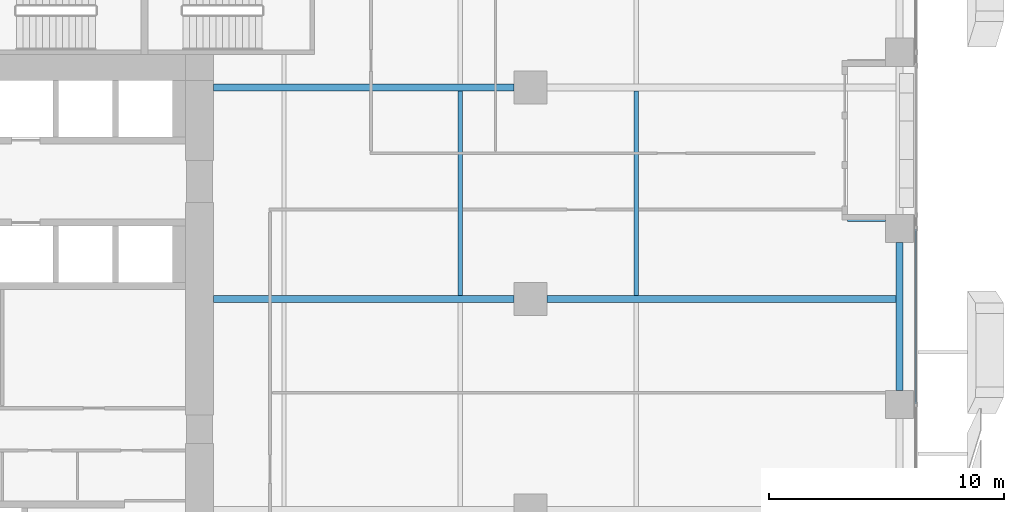
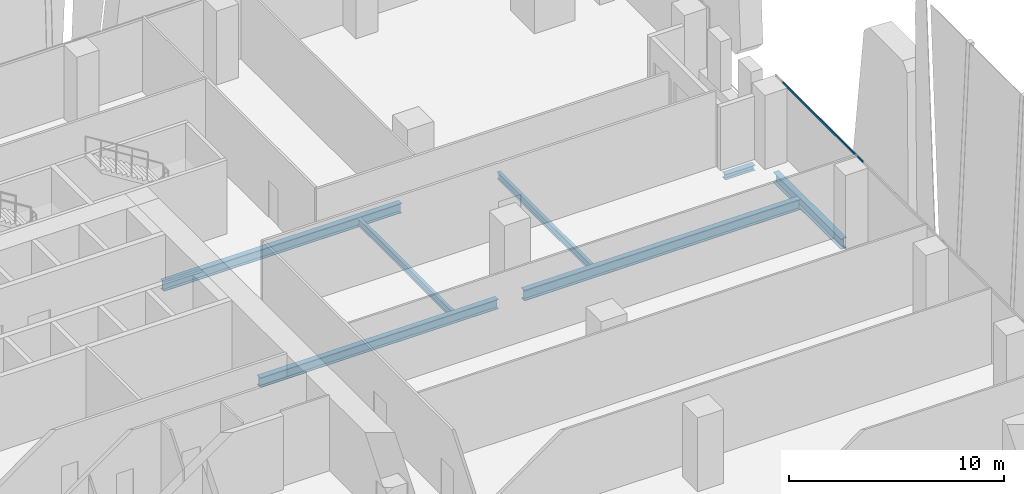
# One storey, part 18 of 37: 7 beams, 1 member, 1 element without a shape of its own.
"""IFC4 building model written with IfcOpenShell, lengths in metres."""

from ifc_helpers import new_model, si_unit, direction, frame, origin, origin_2d, place, context, subcontext, project, spatial, hollow_rectangle, i_section, extrude, source, transform, mapped, material, material_profile, profile_set, type_object, element, aggregate, save


model = new_model("IFC4")

# Units and contexts
model_context = context("Model", 3, precision=1e-05, world=origin(), true_north=direction((0.0, 1.0)))
body_context = subcontext(model_context, "Body", "Model", "MODEL_VIEW")
ifc_project = project(units=[si_unit("LENGTHUNIT", "METRE"), si_unit("AREAUNIT", "SQUARE_METRE"), si_unit("VOLUMEUNIT", "CUBIC_METRE"), si_unit("PLANEANGLEUNIT", "RADIAN"), si_unit("MASSUNIT", "GRAM", prefix="KILO")], contexts=[model_context])

# Site, building, storey
site_placement = place(None, origin())
site = spatial("IfcSite", under=ifc_project, at=site_placement, CompositionType="ELEMENT")
building_placement = place(site_placement, origin())
building = spatial("IfcBuilding", under=site, at=building_placement, Name="Khomas Fold Tower", CompositionType="ELEMENT")
storey_placement = place(building_placement, frame((0.0, 0.0, 60.0)))
storey = spatial("IfcBuildingStorey", under=building, at=storey_placement, Name="L12", CompositionType="ELEMENT", Elevation=60.0)

# Beams
ifc_material_1 = material(Name="Steel S355", Category="steel")
ifc_material_profile_1 = material_profile(ifc_material_1, i_section(OverallWidth=0.300048828125, OverallDepth=0.550048828125, WebThickness=0.014892578125, FlangeThickness=0.029052734375, at=origin_2d()), Name="HE 550 B")
ifc_profile_set_1 = profile_set([ifc_material_profile_1], Name="Steel S355")
beam_type_1 = type_object("IfcBeamType", Name="HE 550 B beam GB4", PredefinedType="BEAM", material=ifc_profile_set_1)
shared_shape_1 = source(origin(), body_context, "Body", "SweptSolid", [
    extrude(i_section(OverallWidth=0.300048828125, OverallDepth=0.550048828125, WebThickness=0.014892578125, FlangeThickness=0.029052734375, at=origin_2d()), origin(), (0.0, 0.0, 1.0), 12.800048828125),
])
for number, where, z_axis, x_axis, name in (
    (1, (24.0, 31.5, -0.574951171875), (1.0, 0.0, 0.0), (0.0, 1.0, 0.0), "GB4"),
    (2, (24.0, 40.5, -0.574951171875), (1.0, 0.0, 0.0), (0.0, 1.0, 0.0), "GB4"),
):
    element("IfcBeam", number, at=place(storey_placement, frame(where, z_axis=z_axis, x_axis=x_axis)), inside=storey, type_object=beam_type_1, Name=name, PredefinedType="BEAM", context=body_context, shape_type="MappedRepresentation", body=[
        mapped(shared_shape_1, transform((0.0, 0.0, 0.0))),
    ])
ifc_material_2 = material(Name="Steel S355", Category="steel")
ifc_material_profile_2 = material_profile(ifc_material_2, i_section(OverallWidth=0.179931640625, OverallDepth=0.39990234375, WebThickness=0.008544921875, FlangeThickness=0.013427734375, at=origin_2d()), Name="IPE 400")
ifc_profile_set_2 = profile_set([ifc_material_profile_2], Name="Steel S355")
beam_type_2 = type_object("IfcBeamType", Name="IPE 400 beam JB3", PredefinedType="BEAM", material=ifc_profile_set_2)
shared_shape_2 = source(origin(), body_context, "Body", "SweptSolid", [
    extrude(i_section(OverallWidth=0.179931640625, OverallDepth=0.39990234375, WebThickness=0.008544921875, FlangeThickness=0.013427734375, at=origin_2d()), origin(), (0.0, 0.0, 1.0), 8.7001953125),
])
for number, where, z_axis, x_axis, name in (
    (3, (34.5, 31.64990234375, -0.5), (0.0, 1.0, 0.0), (-1.0, 0.0, 0.0), "JB3"),
    (4, (42.0, 31.64990234375, -0.5), (0.0, 1.0, 0.0), (-1.0, 0.0, 0.0), "JB3"),
):
    element("IfcBeam", number, at=place(storey_placement, frame(where, z_axis=z_axis, x_axis=x_axis)), inside=storey, type_object=beam_type_2, Name=name, PredefinedType="BEAM", context=body_context, shape_type="MappedRepresentation", body=[
        mapped(shared_shape_2, transform((0.0, 0.0, 0.0))),
    ])
ifc_material_3 = material(Name="Steel S355", Category="steel")
ifc_material_profile_3 = material_profile(ifc_material_3, i_section(OverallWidth=0.300048828125, OverallDepth=0.60009765625, WebThickness=0.015380859375, FlangeThickness=0.030029296875, at=origin_2d()), Name="HE 600 B")
ifc_profile_set_3 = profile_set([ifc_material_profile_3], Name="Steel S355")
beam_type_3 = type_object("IfcBeamType", Name="HE 600 B spandrel SB1", PredefinedType="SPANDREL", material=ifc_profile_set_3)
shared_shape_3 = source(origin(), body_context, "Body", "SweptSolid", [
    extrude(i_section(OverallWidth=0.300048828125, OverallDepth=0.60009765625, WebThickness=0.015380859375, FlangeThickness=0.030029296875, at=origin_2d()), origin(), (0.0, 0.0, 1.0), 6.2998046875),
])
beam_1_placement = place(storey_placement, frame((53.199951171875, 27.60009765625, -0.60009765625), z_axis=(0.0, 1.0, 0.0), x_axis=(-1.0, 0.0, 0.0)))
element("IfcBeam", 5, at=beam_1_placement, inside=storey, type_object=beam_type_3, Name="SB1", PredefinedType="SPANDREL", context=body_context, shape_type="MappedRepresentation", body=[
    mapped(shared_shape_3, transform((0.0, 0.0, 0.0))),
])
ifc_material_4 = material(Name="Steel S355", Category="steel")
ifc_material_profile_4 = material_profile(ifc_material_4, i_section(OverallWidth=0.300048828125, OverallDepth=0.60009765625, WebThickness=0.015380859375, FlangeThickness=0.030029296875, at=origin_2d()), Name="HE 600 B")
ifc_profile_set_4 = profile_set([ifc_material_profile_4], Name="Steel S355")
beam_type_4 = type_object("IfcBeamType", Name="HE 600 B beam GB5", PredefinedType="BEAM", material=ifc_profile_set_4)
shared_shape_4 = source(origin(), body_context, "Body", "SweptSolid", [
    extrude(i_section(OverallWidth=0.300048828125, OverallDepth=0.60009765625, WebThickness=0.015380859375, FlangeThickness=0.030029296875, at=origin_2d()), origin(), (0.0, 0.0, 1.0), 14.85009765625),
])
beam_2_placement = place(storey_placement, frame((38.199951171875, 31.5, -0.60009765625), z_axis=(1.0, 0.0, 0.0), x_axis=(0.0, 1.0, 0.0)))
element("IfcBeam", 6, at=beam_2_placement, inside=storey, type_object=beam_type_4, Name="GB5", PredefinedType="BEAM", context=body_context, shape_type="MappedRepresentation", body=[
    mapped(shared_shape_4, transform((0.0, 0.0, 0.0))),
])
ifc_material_5 = material(Name="Steel S355", Category="steel")
ifc_material_profile_5 = material_profile(ifc_material_5, i_section(OverallWidth=0.300048828125, OverallDepth=0.300048828125, WebThickness=0.010986328125, FlangeThickness=0.01904296875, at=origin_2d()), Name="HE 300 B")
ifc_profile_set_5 = profile_set([ifc_material_profile_5], Name="Steel S355")
beam_type_5 = type_object("IfcBeamType", Name="HE 300 B beam BB1", PredefinedType="BEAM", material=ifc_profile_set_5)
shared_shape_5 = source(origin(), body_context, "Body", "SweptSolid", [
    extrude(i_section(OverallWidth=0.300048828125, OverallDepth=0.300048828125, WebThickness=0.010986328125, FlangeThickness=0.01904296875, at=origin_2d()), origin(), (0.0, 0.0, 1.0), 1.60009765625),
])
beam_3_placement = place(storey_placement, frame((51.0, 34.949951171875, -0.449951171875), z_axis=(1.0, 0.0, 0.0), x_axis=(0.0, 1.0, 0.0)))
element("IfcBeam", 7, at=beam_3_placement, inside=storey, type_object=beam_type_5, Name="BB1", PredefinedType="BEAM", context=body_context, shape_type="MappedRepresentation", body=[
    mapped(shared_shape_5, transform((0.0, 0.0, 0.0))),
])

# Curtain wall, member
ifc_material_6 = material(Name="Aluminium framed double glazing", Category="aluminium")
curtain_wall_type = type_object("IfcCurtainWallType", Name="SK-Unitised clear-glass wall, growing floors CW1", PredefinedType="NOTDEFINED", material=ifc_material_6)
curtain_wall_placement = place(storey_placement, origin())
curtain_wall = element("IfcCurtainWall", 8, at=curtain_wall_placement, inside=storey, type_object=curtain_wall_type, Name="CW1 run L12 03-0", PredefinedType="NOTDEFINED")
ifc_material_7 = material(Name="Aluminium", Category="aluminium")
ifc_material_profile_6 = material_profile(ifc_material_7, hollow_rectangle(XDim=0.06005859375, YDim=0.1201171875, WallThickness=0.00390625, at=origin_2d()), Name="SK-Unitised clear-glass wall, growing floors transom CW1-T")
ifc_profile_set_6 = profile_set([ifc_material_profile_6], Name="Aluminium")
member_type = type_object("IfcMemberType", Name="SK-Unitised clear-glass wall, growing floors transom CW1-T", PredefinedType="USERDEFINED", material=ifc_profile_set_6)
shared_shape_6 = source(origin(), body_context, "Body", "SweptSolid", [
    extrude(hollow_rectangle(XDim=0.06005859375, YDim=0.1201171875, WallThickness=0.00390625, at=origin_2d()), origin(), (0.0, 0.0, 1.0), 7.43994140625),
])
member_placement = place(storey_placement, frame((53.89990234375, 27.030029296875, 4.139892578125), z_axis=(0.0, 1.0, 0.0), x_axis=(-1.0, 0.0, 0.0)))
member = element("IfcMember", 9, at=member_placement, type_object=member_type, Name="CW1 transom 5", ObjectType="TRANSOM", PredefinedType="USERDEFINED", context=body_context, shape_type="MappedRepresentation", body=[
    mapped(shared_shape_6, transform((0.0, 0.0, 0.0))),
])
aggregate(curtain_wall, [member])

save(model, "model.ifc")
